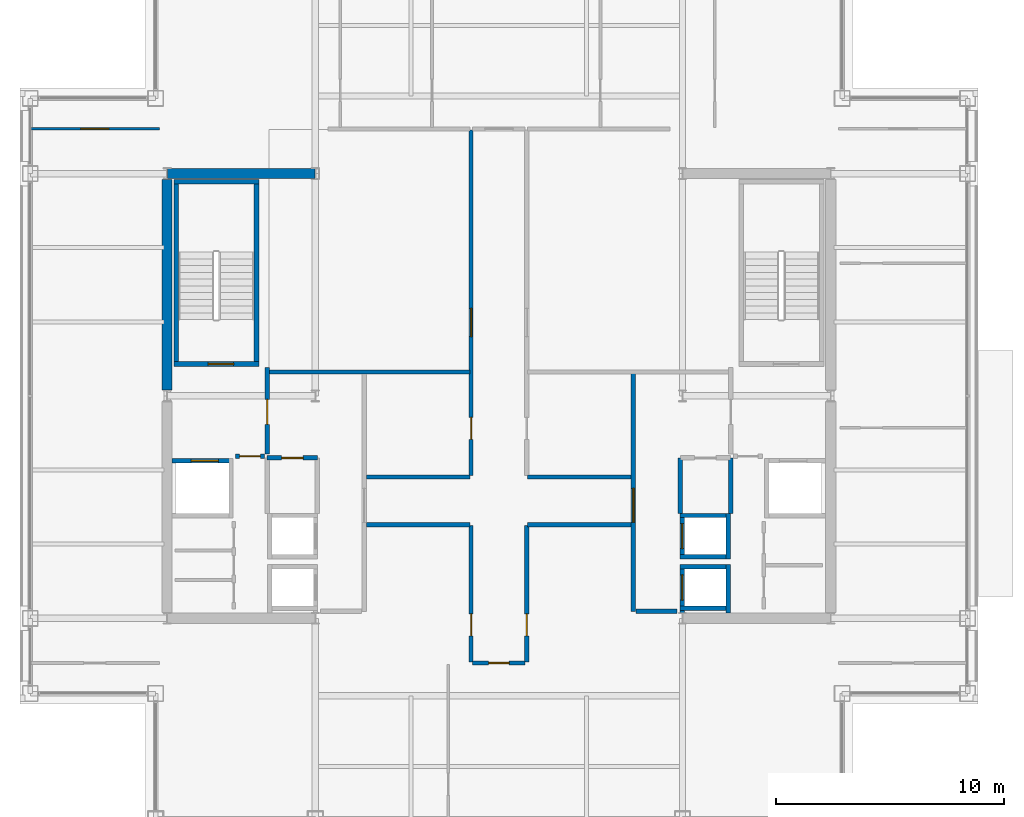
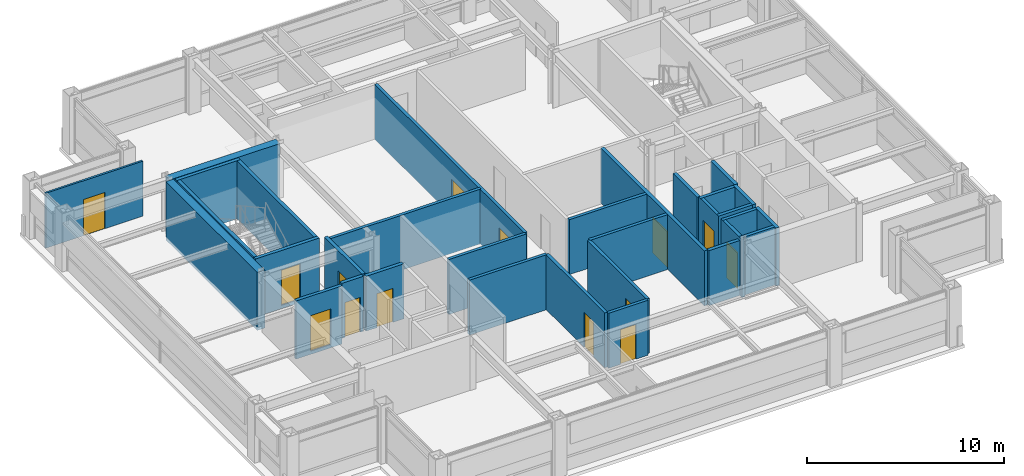
# One storey, part 23 of 26: 32 walls, 14 doors, 14 openings.
"""IFC4 building model written with IfcOpenShell, lengths in metres."""

import ifcopenshell
import ifcopenshell.guid

model = None  # the IFC model being written
_history = None  # IfcOwnerHistory: only IFC2X3 demands one
_inside = {}  # id of a spatial element -> (the spatial element, [elements in it])
_under = {}  # id of a project, library or spatial element -> (it, [spatial elements below it])
_declared = {}  # id of a project -> (the project, [libraries it declares])
_typed = {}  # id of a type object -> (the type object, [elements of that type])
_made_of = {}  # id of a material, layer set ... -> (it, [elements and type objects made of it])


def new_model(schema):
    """Start an empty IFC model of exactly this schema.

    Asked for "IFC4X3", IfcOpenShell would pick the latest addendum, in which some entities
    have other attributes; the version numbers below select the first issue.
    IFC2X3 requires an IfcOwnerHistory on every rooted entity: one is made here for all.
    """
    global model, _history
    if schema == "IFC4X3":
        model = ifcopenshell.file(schema_version=(4, 3, 0, 0))
    else:
        model = ifcopenshell.file(schema=schema)
    _inside.clear()
    _under.clear()
    _declared.clear()
    _typed.clear()
    _made_of.clear()
    _history = None
    if model.schema == "IFC2X3":
        org = make("IfcOrganization", Name="unknown")
        user = make(
            "IfcPersonAndOrganization",
            ThePerson=make("IfcPerson", FamilyName="unknown"),
            TheOrganization=org,
        )
        app = make(
            "IfcApplication",
            ApplicationDeveloper=org,
            Version="unknown",
            ApplicationFullName="unknown",
            ApplicationIdentifier="unknown",
        )
        _history = make(
            "IfcOwnerHistory",
            OwningUser=user,
            OwningApplication=app,
            ChangeAction="ADDED",
            CreationDate=0,
        )
    return model


def make(cls, **values):
    """One entity of the class cls with the attributes given. An attribute that is None is left unset."""
    return model.create_entity(
        cls, **{name: value for name, value in values.items() if value is not None}
    )


def rooted(cls, **values):
    """An entity with a GlobalId (a new one), such as an element, a storey or a relation."""
    return make(cls, GlobalId=ifcopenshell.guid.new(), OwnerHistory=_history, **values)


def si_unit(unit_type, name, prefix=None):
    """IfcSIUnit, for example si_unit("LENGTHUNIT", "METRE", prefix="MILLI")."""
    return make("IfcSIUnit", UnitType=unit_type, Prefix=prefix, Name=name)


def assignment(units):
    """IfcUnitAssignment: the units of a project."""
    return None if units is None else make("IfcUnitAssignment", Units=units)


def point(xyz):
    """IfcCartesianPoint."""
    return None if xyz is None else make("IfcCartesianPoint", Coordinates=xyz)


def direction(xyz):
    """IfcDirection."""
    return None if xyz is None else make("IfcDirection", DirectionRatios=xyz)


def frame(location, z_axis=None, x_axis=None):
    """IfcAxis2Placement3D, a coordinate frame: its origin and axes. An axis left out is left unset."""
    return make(
        "IfcAxis2Placement3D",
        Location=point(location),
        Axis=direction(z_axis),
        RefDirection=direction(x_axis),
    )


def frame_2d(location, x_axis=None):
    """IfcAxis2Placement2D, a coordinate frame in the plane: its origin and x axis."""
    return make(
        "IfcAxis2Placement2D", Location=point(location), RefDirection=direction(x_axis)
    )


def origin():
    """The frame at (0, 0, 0) with its axes left unset."""
    return frame((0.0, 0.0, 0.0))


def place(relative_to, where):
    """IfcLocalPlacement: puts the frame where relative to a parent placement (None: the world)."""
    return make(
        "IfcLocalPlacement", PlacementRelTo=relative_to, RelativePlacement=where
    )


def context(
    kind, dimensions, precision=None, world=None, true_north=None, identifier=None
):
    """IfcGeometricRepresentationContext, for example the 3D "Model" context."""
    return make(
        "IfcGeometricRepresentationContext",
        ContextIdentifier=identifier,
        ContextType=kind,
        CoordinateSpaceDimension=dimensions,
        Precision=precision,
        WorldCoordinateSystem=world,
        TrueNorth=true_north,
    )


def subcontext(parent, identifier, kind, view, scale=None):
    """IfcGeometricRepresentationSubContext, for example "Body" below "Model"."""
    return make(
        "IfcGeometricRepresentationSubContext",
        ContextIdentifier=identifier,
        ContextType=kind,
        ParentContext=parent,
        TargetScale=scale,
        TargetView=view,
    )


def project(units=None, contexts=None):
    """IfcProject with its units and contexts."""
    return rooted(
        "IfcProject",
        Name="project",
        RepresentationContexts=contexts,
        UnitsInContext=assignment(units),
    )


def spatial(cls, under=None, at=None, **own):
    """A site, building, storey or space (cls), placed at a placement, below another one or the project."""
    s = rooted(cls, ObjectPlacement=at, **own)
    if under is not None:
        _under.setdefault(under.id(), (under, []))[1].append(s)
    return s


def profile(cls, at=None, kind="AREA", **sizes):
    """A parametric profile (cls). Its sizes go by their IFC names, for example OverallWidth=200.0."""
    return make(cls, ProfileType=kind, Position=at, **sizes)


def rectangle(**sizes):
    """IfcRectangleProfileDef."""
    return profile("IfcRectangleProfileDef", **sizes)


def extrude(swept, where, along, depth):
    """IfcExtrudedAreaSolid: the profile swept, set in the frame where, extruded along a direction by depth."""
    return make(
        "IfcExtrudedAreaSolid",
        SweptArea=swept,
        Position=where,
        ExtrudedDirection=direction(along),
        Depth=depth,
    )


def shape(context_of_items, identifier, shape_type, items):
    """IfcShapeRepresentation: the items that make up one representation, for example the "Body"."""
    return make(
        "IfcShapeRepresentation",
        ContextOfItems=context_of_items,
        RepresentationIdentifier=identifier,
        RepresentationType=shape_type,
        Items=items,
    )


def material(Name=None, Category=None):
    """IfcMaterial."""
    return make("IfcMaterial", Name=Name, Category=Category)


def layer(
    of_material, thickness, ventilated=None, Name=None, Category=None, Priority=None
):
    """IfcMaterialLayer: one layer of a wall or slab, of a material (None: an air gap)."""
    return make(
        "IfcMaterialLayer",
        Material=of_material,
        LayerThickness=thickness,
        IsVentilated=ventilated,
        Name=Name,
        Category=Category,
        Priority=Priority,
    )


def layer_set(layers, Name=None):
    """IfcMaterialLayerSet."""
    return make("IfcMaterialLayerSet", MaterialLayers=layers, LayerSetName=Name)


def made_of(thing, what):
    """Note that an element or type object is made of a material, layer set ...; save() writes the relation."""
    if what is not None:
        _made_of.setdefault(what.id(), (what, []))[1].append(thing)
    return thing


def type_object(cls, material=None, **own):
    """A type object (cls), such as IfcWallType, which elements share."""
    return made_of(rooted(cls, **own), material)


def element(
    cls,
    number,
    at=None,
    inside=None,
    cuts=None,
    type_object=None,
    material=None,
    context=None,
    identifier="Body",
    shape_type=None,
    held_by="IfcProductDefinitionShape",
    body=None,
    shapes=None,
    **own,
):
    """One element of the class cls, such as IfcWall. Its Tag is "e" and its number.

    at: its placement. inside: the storey or other place that contains it. cuts: it is an
    opening in that element (IfcRelVoidsElement). A single representation is given by context,
    identifier, shape_type and body (its items); several are given by shapes. held_by: the class
    of the entity that holds the representations. save() writes the other relations.
    """
    e = rooted(cls, Tag="e%d" % number, ObjectPlacement=at, **own)
    if body is not None:
        shapes = [shape(context, identifier, shape_type, body)]
    if shapes is not None:
        e.Representation = make(held_by, Representations=shapes)
    if inside is not None:
        _inside.setdefault(inside.id(), (inside, []))[1].append(e)
    if cuts is not None:
        rooted(
            "IfcRelVoidsElement", RelatingBuildingElement=cuts, RelatedOpeningElement=e
        )
    if type_object is not None:
        _typed.setdefault(type_object.id(), (type_object, []))[1].append(e)
    return made_of(e, material)


def fill(opening, filler):
    """IfcRelFillsElement: the door or window that sits in an opening."""
    return rooted(
        "IfcRelFillsElement",
        RelatingOpeningElement=opening,
        RelatedBuildingElement=filler,
    )


def aggregate(whole, parts):
    """IfcRelAggregates: a whole, such as a stair, and the parts it consists of."""
    return rooted("IfcRelAggregates", RelatingObject=whole, RelatedObjects=parts)


def save(model, path):
    """Write the relations noted so far, then the file.

    IfcRelAggregates (storeys below a building ...), IfcRelContainedInSpatialStructure (elements
    in a storey), IfcRelDefinesByType, IfcRelAssociatesMaterial and IfcRelDeclares: one each for
    every whole, place, type object, material and project.
    """
    for whole, parts in _under.values():
        aggregate(whole, parts)
    for where, things in _inside.values():
        rooted(
            "IfcRelContainedInSpatialStructure",
            RelatedElements=things,
            RelatingStructure=where,
        )
    for kind, things in _typed.values():
        rooted("IfcRelDefinesByType", RelatedObjects=things, RelatingType=kind)
    for what, things in _made_of.values():
        rooted("IfcRelAssociatesMaterial", RelatedObjects=things, RelatingMaterial=what)
    for by, libraries in _declared.values():
        rooted("IfcRelDeclares", RelatingContext=by, RelatedDefinitions=libraries)
    model.write(path)


model = new_model("IFC4")

# Units and contexts
model_context = context("Model", 3, precision=1e-05, world=origin(), true_north=direction((0.0, 1.0)))
body_context = subcontext(model_context, "Body", "Model", "MODEL_VIEW")
ifc_project = project(units=[si_unit("LENGTHUNIT", "METRE"), si_unit("AREAUNIT", "SQUARE_METRE"), si_unit("VOLUMEUNIT", "CUBIC_METRE"), si_unit("PLANEANGLEUNIT", "RADIAN"), si_unit("MASSUNIT", "GRAM", prefix="KILO")], contexts=[model_context])

# Site, building, storey
site_placement = place(None, origin())
site = spatial("IfcSite", under=ifc_project, at=site_placement, CompositionType="ELEMENT")
building_placement = place(site_placement, origin())
building = spatial("IfcBuilding", under=site, at=building_placement, Name="Brelmoor Portico Tower", CompositionType="ELEMENT")
storey_placement = place(building_placement, frame((0.0, 0.0, 205.5)))
storey = spatial("IfcBuildingStorey", under=building, at=storey_placement, Name="L54", CompositionType="ELEMENT", Elevation=205.5)

# Walls
ifc_material_1 = material(Name="Concrete C50", Category="concrete")
ifc_layer_1 = layer(ifc_material_1, 0.449951171875)
ifc_layer_set_1 = layer_set([ifc_layer_1], Name="Concrete C50")
wall_type_1 = type_object("IfcWallType", Name="WL-CORE-450", PredefinedType="SHEAR", material=ifc_layer_set_1)
wall_1_placement = place(storey_placement, frame((-14.530029296875, 9.75, -0.199951171875), z_axis=(0.0, 0.0, 1.0), x_axis=(1.0, 0.0, 0.0)))
element("IfcWall", 1, at=wall_1_placement, inside=storey, type_object=wall_type_1, Name="L54 WC North Shear Wall", PredefinedType="SHEAR", context=body_context, shape_type="SweptSolid", body=[
    extrude(rectangle(XDim=6.4599609375, YDim=0.449951171875, at=frame_2d((3.22998046875, 0.0))), origin(), (0.0, 0.0, 1.0), 3.599853515625),
])
wall_2_placement = place(storey_placement, frame((-14.550048828125, 0.25, -0.199951171875), z_axis=(0.0, 0.0, 1.0), x_axis=(0.0, 1.0, 0.0)))
element("IfcWall", 2, at=wall_2_placement, inside=storey, type_object=wall_type_1, Name="L54 WC Outer North Shear Wall", PredefinedType="SHEAR", context=body_context, shape_type="SweptSolid", body=[
    extrude(rectangle(XDim=9.25, YDim=0.449951171875, at=frame_2d((4.625, 0.0))), origin(), (0.0, 0.0, 1.0), 3.599853515625),
])

# Wall, opening, door
ifc_material_2 = material(Name="Lightweight Gypsum Office Partition", Category="gypsum")
ifc_layer_2 = layer(ifc_material_2, 0.1201171875)
ifc_layer_set_2 = layer_set([ifc_layer_2], Name="Lightweight Gypsum Office Partition")
wall_type_2 = type_object("IfcWallType", Name="WL-PART-120", PredefinedType="PARTITIONING", material=ifc_layer_set_2)
wall_3_placement = place(storey_placement, frame((-20.56005859375, 11.7099609375, 0.0), z_axis=(0.0, 0.0, 1.0), x_axis=(1.0, 0.0, 0.0)))
wall_3 = element("IfcWall", 3, at=wall_3_placement, inside=storey, type_object=wall_type_2, Name="L54 North Wing Suite Wall WL", PredefinedType="PARTITIONING", context=body_context, shape_type="SweptSolid", body=[
    extrude(rectangle(XDim=5.68017578125, YDim=0.1201171875, at=frame_2d((2.840087890625, 0.0))), origin(), (0.0, 0.0, 1.0), 3.39990234375),
])
opening_1_placement = place(wall_3_placement, frame((2.219970703125, 0.0, 0.0)))
opening_1 = element("IfcOpeningElement", 4, at=opening_1_placement, cuts=wall_3, Name="Opening D-SU1", PredefinedType="OPENING", context=body_context, shape_type="SweptSolid", body=[
    extrude(rectangle(XDim=1.239990234375, YDim=2.239990234375, at=frame_2d((0.6201171875, 1.1201171875))), frame((0.0, 0.070068359375, 0.0), z_axis=(0.0, -1.0, 0.0), x_axis=(1.0, 0.0, 0.0)), (0.0, 0.0, 1.0), 0.14013671875),
])
ifc_material_3 = material(Name="Glazed Timber Executive Suite Door", Category="wood")
door_type_1 = type_object("IfcDoorType", Name="DR-SUITE-1200", OperationType="NOTDEFINED", PredefinedType="DOOR", material=ifc_material_3)
door_1_placement = place(opening_1_placement, origin())
door_1 = element("IfcDoor", 5, at=door_1_placement, inside=storey, type_object=door_type_1, Name="D-2285 L54 WL Wing Suite Connecting Door", OperationType="SINGLE_SWING_RIGHT", OverallHeight=2.239990234375, OverallWidth=1.239990234375, PredefinedType="DOOR", context=body_context, shape_type="SweptSolid", body=[
    extrude(rectangle(XDim=1.239990234375, YDim=2.239990234375, at=frame_2d((0.6201171875, 1.1201171875))), frame((0.0, 0.02490234375, 0.0), z_axis=(0.0, -1.0, 0.0), x_axis=(1.0, 0.0, 0.0)), (0.0, 0.0, 1.0), 0.050048828125),
])
fill(opening_1, door_1)

# Wall
ifc_material_4 = material(Name="Acoustic Corridor Fire Partition", Category="gypsum")
ifc_layer_3 = layer(ifc_material_4, 0.179931640625)
ifc_layer_set_3 = layer_set([ifc_layer_3], Name="Acoustic Corridor Fire Partition")
wall_type_3 = type_object("IfcWallType", Name="WL-PART-180", PredefinedType="PARTITIONING", material=ifc_layer_set_3)
wall_4_placement = place(storey_placement, frame((-10.050048828125, 1.050048828125, 0.0), z_axis=(0.0, 0.0, 1.0), x_axis=(1.0, 0.0, 0.0)))
element("IfcWall", 6, at=wall_4_placement, inside=storey, type_object=wall_type_3, Name="L54 West Reclaimed Suite South Wall", PredefinedType="PARTITIONING", context=body_context, shape_type="SweptSolid", body=[
    extrude(rectangle(XDim=8.7900390625, YDim=0.179931640625, at=frame_2d((4.39501953125, 0.0))), origin(), (0.0, 0.0, 1.0), 3.39990234375),
])

# Wall, openings, doors
wall_5_placement = place(storey_placement, frame((-1.219970703125, -3.5, 0.0), z_axis=(0.0, 0.0, 1.0), x_axis=(0.0, 1.0, 0.0)))
wall_5 = element("IfcWall", 7, at=wall_5_placement, inside=storey, type_object=wall_type_3, Name="L54 Central Cross West Wall", PredefinedType="PARTITIONING", context=body_context, shape_type="SweptSolid", body=[
    extrude(rectangle(XDim=15.169921875, YDim=0.179931640625, at=frame_2d((7.5849609375, 0.0))), origin(), (0.0, 0.0, 1.0), 3.39990234375),
])
opening_2_placement = place(wall_5_placement, frame((6.10009765625, 0.0, 0.0)))
opening_2 = element("IfcOpeningElement", 8, at=opening_2_placement, cuts=wall_5, Name="Opening D-SU1", PredefinedType="OPENING", context=body_context, shape_type="SweptSolid", body=[
    extrude(rectangle(XDim=1.239990234375, YDim=2.239990234375, at=frame_2d((0.6201171875, 1.1201171875))), frame((0.0, 0.099853515625, 0.0), z_axis=(0.0, -1.0, 0.0), x_axis=(1.0, 0.0, 0.0)), (0.0, 0.0, 1.0), 0.199951171875),
])
opening_3_placement = place(wall_5_placement, frame((1.60009765625, 0.0, 0.0)))
opening_3 = element("IfcOpeningElement", 9, at=opening_3_placement, cuts=wall_5, Name="Opening D-IN2", PredefinedType="OPENING", context=body_context, shape_type="SweptSolid", body=[
    extrude(rectangle(XDim=0.9599609375, YDim=2.179931640625, at=frame_2d((0.47998046875, 1.08984375))), frame((0.0, 0.099853515625, 0.0), z_axis=(0.0, -1.0, 0.0), x_axis=(1.0, 0.0, 0.0)), (0.0, 0.0, 1.0), 0.199951171875),
])
ifc_material_5 = material(Name="Lacquered Timber Suite Door", Category="wood")
door_type_2 = type_object("IfcDoorType", Name="DR-INT-950", OperationType="NOTDEFINED", PredefinedType="DOOR", material=ifc_material_5)
door_2_placement = place(opening_3_placement, origin())
door_2 = element("IfcDoor", 10, at=door_2_placement, inside=storey, type_object=door_type_2, Name="D-2264 L54 Staff Pantry Door", OperationType="SINGLE_SWING_RIGHT", OverallHeight=2.179931640625, OverallWidth=0.9599609375, PredefinedType="DOOR", context=body_context, shape_type="SweptSolid", body=[
    extrude(rectangle(XDim=0.9599609375, YDim=2.179931640625, at=frame_2d((0.47998046875, 1.08984375))), frame((0.0, 0.02490234375, 0.0), z_axis=(0.0, -1.0, 0.0), x_axis=(1.0, 0.0, 0.0)), (0.0, 0.0, 1.0), 0.050048828125),
])
fill(opening_3, door_2)
door_3_placement = place(opening_2_placement, origin())
door_3 = element("IfcDoor", 11, at=door_3_placement, inside=storey, type_object=door_type_1, Name="D-2265 L54 West Reclaimed Studio Door", OperationType="SINGLE_SWING_LEFT", OverallHeight=2.239990234375, OverallWidth=1.239990234375, PredefinedType="DOOR", context=body_context, shape_type="SweptSolid", body=[
    extrude(rectangle(XDim=1.239990234375, YDim=2.239990234375, at=frame_2d((0.6201171875, 1.1201171875))), frame((0.0, 0.02490234375, 0.0), z_axis=(0.0, -1.0, 0.0), x_axis=(1.0, 0.0, 0.0)), (0.0, 0.0, 1.0), 0.050048828125),
])
fill(opening_2, door_3)

# Walls
for number, where, z_axis, x_axis, name in (
    (12, (-5.800048828125, -3.550048828125, 0.0), (0.0, 0.0, 1.0), (1.0, 0.0, 0.0), "L54 West Pantry South Wall"),
    (13, (1.260009765625, -3.550048828125, 0.0), (0.0, 0.0, 1.0), (1.0, 0.0, 0.0), "L54 East Office South Wall"),
):
    element("IfcWall", number, at=place(storey_placement, frame(where, z_axis=z_axis, x_axis=x_axis)), inside=storey, type_object=wall_type_3, Name=name, PredefinedType="PARTITIONING", context=body_context, shape_type="SweptSolid", body=[
        extrude(rectangle(XDim=4.5400390625, YDim=0.179931640625, at=frame_2d((2.27001953125, 0.0))), origin(), (0.0, 0.0, 1.0), 3.39990234375),
    ])

# Wall, opening, door
wall_6_placement = place(storey_placement, frame((-1.219970703125, -11.669921875, 0.0), z_axis=(0.0, 0.0, 1.0), x_axis=(0.0, 1.0, 0.0)))
wall_6 = element("IfcWall", 14, at=wall_6_placement, inside=storey, type_object=wall_type_3, Name="L54 South Cross West Wall", PredefinedType="PARTITIONING", context=body_context, shape_type="SweptSolid", body=[
    extrude(rectangle(XDim=5.989990234375, YDim=0.179931640625, at=frame_2d((2.9951171875, 0.0))), origin(), (0.0, 0.0, 1.0), 3.39990234375),
])
opening_4_placement = place(wall_6_placement, frame((1.14990234375, 0.0, 0.0)))
opening_4 = element("IfcOpeningElement", 15, at=opening_4_placement, cuts=wall_6, Name="Opening D-IN2", PredefinedType="OPENING", context=body_context, shape_type="SweptSolid", body=[
    extrude(rectangle(XDim=0.9599609375, YDim=2.179931640625, at=frame_2d((0.47998046875, 1.08984375))), frame((0.0, 0.099853515625, 0.0), z_axis=(0.0, -1.0, 0.0), x_axis=(1.0, 0.0, 0.0)), (0.0, 0.0, 1.0), 0.199951171875),
])
door_4_placement = place(opening_4_placement, origin())
door_4 = element("IfcDoor", 16, at=door_4_placement, inside=storey, type_object=door_type_2, Name="D-2263 L54 South-West Archive Room Door", OperationType="SINGLE_SWING_LEFT", OverallHeight=2.179931640625, OverallWidth=0.9599609375, PredefinedType="DOOR", context=body_context, shape_type="SweptSolid", body=[
    extrude(rectangle(XDim=0.9599609375, YDim=2.179931640625, at=frame_2d((0.47998046875, 1.08984375))), frame((0.0, 0.02490234375, 0.0), z_axis=(0.0, -1.0, 0.0), x_axis=(1.0, 0.0, 0.0)), (0.0, 0.0, 1.0), 0.050048828125),
])
fill(opening_4, door_4)

wall_7_placement = place(storey_placement, frame((1.219970703125, -11.669921875, 0.0), z_axis=(0.0, 0.0, 1.0), x_axis=(0.0, 1.0, 0.0)))
wall_7 = element("IfcWall", 17, at=wall_7_placement, inside=storey, type_object=wall_type_3, Name="L54 South Cross East Wall", PredefinedType="PARTITIONING", context=body_context, shape_type="SweptSolid", body=[
    extrude(rectangle(XDim=5.989990234375, YDim=0.179931640625, at=frame_2d((2.9951171875, 0.0))), origin(), (0.0, 0.0, 1.0), 3.39990234375),
])
opening_5_placement = place(wall_7_placement, frame((1.14990234375, 0.0, 0.0)))
opening_5 = element("IfcOpeningElement", 18, at=opening_5_placement, cuts=wall_7, Name="Opening D-IN2", PredefinedType="OPENING", context=body_context, shape_type="SweptSolid", body=[
    extrude(rectangle(XDim=0.9599609375, YDim=2.179931640625, at=frame_2d((0.47998046875, 1.08984375))), frame((0.0, 0.099853515625, 0.0), z_axis=(0.0, -1.0, 0.0), x_axis=(1.0, 0.0, 0.0)), (0.0, 0.0, 1.0), 0.199951171875),
])
door_5_placement = place(opening_5_placement, origin())
door_5 = element("IfcDoor", 19, at=door_5_placement, inside=storey, type_object=door_type_2, Name="D-2262 L54 South-East Partner Office Door", OperationType="SINGLE_SWING_RIGHT", OverallHeight=2.179931640625, OverallWidth=0.9599609375, PredefinedType="DOOR", context=body_context, shape_type="SweptSolid", body=[
    extrude(rectangle(XDim=0.9599609375, YDim=2.179931640625, at=frame_2d((0.47998046875, 1.08984375))), frame((0.0, 0.02490234375, 0.0), z_axis=(0.0, -1.0, 0.0), x_axis=(1.0, 0.0, 0.0)), (0.0, 0.0, 1.0), 0.050048828125),
])
fill(opening_5, door_5)

# Walls
for number, where, z_axis, x_axis, name in (
    (20, (-5.800048828125, -5.64990234375, 0.0), (0.0, 0.0, 1.0), (1.0, 0.0, 0.0), "L54 South-West Chamber Top Wall"),
    (21, (1.260009765625, -5.64990234375, 0.0), (0.0, 0.0, 1.0), (1.0, 0.0, 0.0), "L54 South-East Chamber Top Wall"),
):
    element("IfcWall", number, at=place(storey_placement, frame(where, z_axis=z_axis, x_axis=x_axis)), inside=storey, type_object=wall_type_3, Name=name, PredefinedType="PARTITIONING", context=body_context, shape_type="SweptSolid", body=[
        extrude(rectangle(XDim=4.5400390625, YDim=0.179931640625, at=frame_2d((2.27001953125, 0.0))), origin(), (0.0, 0.0, 1.0), 3.39990234375),
    ])

# Wall, opening, door
wall_8_placement = place(storey_placement, frame((-1.14990234375, -11.7099609375, 0.0), z_axis=(0.0, 0.0, 1.0), x_axis=(1.0, 0.0, 0.0)))
wall_8 = element("IfcWall", 22, at=wall_8_placement, inside=storey, type_object=wall_type_3, Name="L54 South Corridor Partition", PredefinedType="PARTITIONING", context=body_context, shape_type="SweptSolid", body=[
    extrude(rectangle(XDim=2.2998046875, YDim=0.179931640625, at=frame_2d((1.14990234375, 0.0))), origin(), (0.0, 0.0, 1.0), 3.39990234375),
])
opening_6_placement = place(wall_8_placement, frame((0.699951171875, 0.0, 0.0)))
opening_6 = element("IfcOpeningElement", 23, at=opening_6_placement, cuts=wall_8, Name="Opening D-IN1", PredefinedType="OPENING", context=body_context, shape_type="SweptSolid", body=[
    extrude(rectangle(XDim=0.89990234375, YDim=2.14990234375, at=frame_2d((0.449951171875, 1.074951171875))), frame((0.0, 0.099853515625, 0.0), z_axis=(0.0, -1.0, 0.0), x_axis=(1.0, 0.0, 0.0)), (0.0, 0.0, 1.0), 0.199951171875),
])
door_type_3 = type_object("IfcDoorType", Name="DR-INT-900", OperationType="NOTDEFINED", PredefinedType="DOOR", material=ifc_material_5)
door_6_placement = place(opening_6_placement, origin())
door_6 = element("IfcDoor", 24, at=door_6_placement, inside=storey, type_object=door_type_3, Name="D-2286 L54 South Cellular Office 2 Door", OperationType="SINGLE_SWING_LEFT", OverallHeight=2.14990234375, OverallWidth=0.89990234375, PredefinedType="DOOR", context=body_context, shape_type="SweptSolid", body=[
    extrude(rectangle(XDim=0.89990234375, YDim=2.14990234375, at=frame_2d((0.449951171875, 1.074951171875))), frame((0.0, 0.02490234375, 0.0), z_axis=(0.0, -1.0, 0.0), x_axis=(1.0, 0.0, 0.0)), (0.0, 0.0, 1.0), 0.050048828125),
])
fill(opening_6, door_6)

ifc_material_6 = material(Name="Double-Stud Gypsum Fire Partition", Category="gypsum")
ifc_layer_4 = layer(ifc_material_6, 0.199951171875)
ifc_layer_set_4 = layer_set([ifc_layer_4], Name="Double-Stud Gypsum Fire Partition")
wall_type_4 = type_object("IfcWallType", Name="WL-PART-200", PredefinedType="PARTITIONING", material=ifc_layer_set_4)
wall_9_placement = place(storey_placement, frame((-10.159912109375, -2.550048828125, 0.0), z_axis=(0.0, 0.0, 1.0), x_axis=(0.0, 1.0, 0.0)))
wall_9 = element("IfcWall", 25, at=wall_9_placement, inside=storey, type_object=wall_type_4, Name="L54 W Firefighting Lobby Wall", PredefinedType="PARTITIONING", context=body_context, shape_type="SweptSolid", body=[
    extrude(rectangle(XDim=3.800048828125, YDim=0.199951171875, at=frame_2d((1.89990234375, 0.0))), origin(), (0.0, 0.0, 1.0), 3.39990234375),
])
opening_7_placement = place(wall_9_placement, frame((1.300048828125, 0.0, 0.0)))
opening_7 = element("IfcOpeningElement", 26, at=opening_7_placement, cuts=wall_9, Name="Opening D-FR1", PredefinedType="OPENING", context=body_context, shape_type="SweptSolid", body=[
    extrude(rectangle(XDim=1.10009765625, YDim=2.14990234375, at=frame_2d((0.550048828125, 1.074951171875))), frame((0.0, 0.10986328125, 0.0), z_axis=(0.0, -1.0, 0.0), x_axis=(1.0, 0.0, 0.0)), (0.0, 0.0, 1.0), 0.219970703125),
])
ifc_material_7 = material(Name="Painted Galvanised Steel Fire Door", Category="steel")
door_type_4 = type_object("IfcDoorType", Name="DR-FIRE-1100", OperationType="NOTDEFINED", PredefinedType="DOOR", material=ifc_material_7)
door_7_placement = place(opening_7_placement, origin())
door_7 = element("IfcDoor", 27, at=door_7_placement, inside=storey, type_object=door_type_4, Name="D-2276 L54 W Firefighting Lobby Door", OperationType="SINGLE_SWING_RIGHT", OverallHeight=2.14990234375, OverallWidth=1.10009765625, PredefinedType="DOOR", context=body_context, shape_type="SweptSolid", body=[
    extrude(rectangle(XDim=1.10009765625, YDim=2.14990234375, at=frame_2d((0.550048828125, 1.074951171875))), frame((0.0, 0.02490234375, 0.0), z_axis=(0.0, -1.0, 0.0), x_axis=(1.0, 0.0, 0.0)), (0.0, 0.0, 1.0), 0.050048828125),
])
fill(opening_7, door_7)

wall_10_placement = place(storey_placement, frame((-10.280029296875, -2.64990234375, 0.0), z_axis=(0.0, 0.0, 1.0), x_axis=(-1.0, 0.0, 0.0)))
wall_10 = element("IfcWall", 28, at=wall_10_placement, inside=storey, type_object=wall_type_4, Name="L54 W Firefighting Lobby South Wall", PredefinedType="PARTITIONING", context=body_context, shape_type="SweptSolid", body=[
    extrude(rectangle(XDim=1.27001953125, YDim=0.199951171875, at=frame_2d((0.635009765625, 0.0))), origin(), (0.0, 0.0, 1.0), 3.39990234375),
])
opening_8_placement = place(wall_10_placement, frame((0.18505859375, 0.0, 0.0)))
opening_8 = element("IfcOpeningElement", 29, at=opening_8_placement, cuts=wall_10, Name="Opening D-IN1", PredefinedType="OPENING", context=body_context, shape_type="SweptSolid", body=[
    extrude(rectangle(XDim=0.89990234375, YDim=2.14990234375, at=frame_2d((0.449951171875, 1.074951171875))), frame((0.0, 0.10986328125, 0.0), z_axis=(0.0, -1.0, 0.0), x_axis=(1.0, 0.0, 0.0)), (0.0, 0.0, 1.0), 0.219970703125),
])
door_8_placement = place(opening_8_placement, origin())
door_8 = element("IfcDoor", 30, at=door_8_placement, inside=storey, type_object=door_type_3, Name="D-2269 L54 W Core Service Vestibule Door", OperationType="SINGLE_SWING_LEFT", OverallHeight=2.14990234375, OverallWidth=0.89990234375, PredefinedType="DOOR", context=body_context, shape_type="SweptSolid", body=[
    extrude(rectangle(XDim=0.89990234375, YDim=2.14990234375, at=frame_2d((0.449951171875, 1.074951171875))), frame((0.0, 0.02490234375, 0.0), z_axis=(0.0, -1.0, 0.0), x_axis=(1.0, 0.0, 0.0)), (0.0, 0.0, 1.0), 0.050048828125),
])
fill(opening_8, door_8)

wall_11_placement = place(storey_placement, frame((-7.9599609375, -2.719970703125, 0.0), z_axis=(0.0, 0.0, 1.0), x_axis=(-1.0, 0.0, 0.0)))
wall_11 = element("IfcWall", 31, at=wall_11_placement, inside=storey, type_object=wall_type_4, Name="L54 W Electrical Switchgear Closet Wall", PredefinedType="PARTITIONING", context=body_context, shape_type="SweptSolid", body=[
    extrude(rectangle(XDim=2.199951171875, YDim=0.199951171875, at=frame_2d((1.10009765625, 0.0))), origin(), (0.0, 0.0, 1.0), 3.39990234375),
])
opening_9_placement = place(wall_11_placement, frame((0.6201171875, 0.0, 0.0)))
opening_9 = element("IfcOpeningElement", 32, at=opening_9_placement, cuts=wall_11, Name="Opening D-FR4", PredefinedType="OPENING", context=body_context, shape_type="SweptSolid", body=[
    extrude(rectangle(XDim=0.949951171875, YDim=2.10009765625, at=frame_2d((0.47509765625, 1.050048828125))), frame((0.0, 0.10986328125, 0.0), z_axis=(0.0, -1.0, 0.0), x_axis=(1.0, 0.0, 0.0)), (0.0, 0.0, 1.0), 0.219970703125),
])
ifc_material_8 = material(Name="Painted Galvanised Steel Riser Door", Category="steel")
door_type_5 = type_object("IfcDoorType", Name="DR-FIRE-950", OperationType="NOTDEFINED", PredefinedType="DOOR", material=ifc_material_8)
door_9_placement = place(opening_9_placement, origin())
door_9 = element("IfcDoor", 33, at=door_9_placement, inside=storey, type_object=door_type_5, Name="D-2274 L54 W Electrical Switchgear Closet Door", OperationType="SINGLE_SWING_RIGHT", OverallHeight=2.10009765625, OverallWidth=0.949951171875, PredefinedType="DOOR", context=body_context, shape_type="SweptSolid", body=[
    extrude(rectangle(XDim=0.949951171875, YDim=2.10009765625, at=frame_2d((0.47509765625, 1.050048828125))), frame((0.0, 0.02490234375, 0.0), z_axis=(0.0, -1.0, 0.0), x_axis=(1.0, 0.0, 0.0)), (0.0, 0.0, 1.0), 0.050048828125),
])
fill(opening_9, door_9)

wall_12_placement = place(storey_placement, frame((5.89990234375, -9.449951171875, 0.0), z_axis=(0.0, 0.0, 1.0), x_axis=(0.0, 1.0, 0.0)))
wall_12 = element("IfcWall", 34, at=wall_12_placement, inside=storey, type_object=wall_type_4, Name="L54 E Core Lobby Compartment Wall", PredefinedType="PARTITIONING", context=body_context, shape_type="SweptSolid", body=[
    extrude(rectangle(XDim=10.5, YDim=0.199951171875, at=frame_2d((5.25, 0.0))), origin(), (0.0, 0.0, 1.0), 3.39990234375),
])
opening_10_placement = place(wall_12_placement, frame((3.89990234375, 0.0, 0.0)))
opening_10 = element("IfcOpeningElement", 35, at=opening_10_placement, cuts=wall_12, Name="Opening D-LB1", PredefinedType="OPENING", context=body_context, shape_type="SweptSolid", body=[
    extrude(rectangle(XDim=1.5, YDim=2.199951171875, at=frame_2d((0.75, 1.10009765625))), frame((0.0, 0.10986328125, 0.0), z_axis=(0.0, -1.0, 0.0), x_axis=(1.0, 0.0, 0.0)), (0.0, 0.0, 1.0), 0.219970703125),
])
ifc_material_9 = material(Name="Double-Leaf Glazed Steel Fire Door", Category="steel")
door_type_6 = type_object("IfcDoorType", Name="DR-LOBBY-1500", OperationType="NOTDEFINED", PredefinedType="DOOR", material=ifc_material_9)
door_10_placement = place(opening_10_placement, origin())
door_10 = element("IfcDoor", 36, at=door_10_placement, inside=storey, type_object=door_type_6, Name="D-2277 L54 E Lift Lobby Main Door", OperationType="DOUBLE_DOOR_SINGLE_SWING", OverallHeight=2.199951171875, OverallWidth=1.5, PredefinedType="DOOR", context=body_context, shape_type="SweptSolid", body=[
    extrude(rectangle(XDim=1.5, YDim=2.199951171875, at=frame_2d((0.75, 1.10009765625))), frame((0.0, 0.02490234375, 0.0), z_axis=(0.0, -1.0, 0.0), x_axis=(1.0, 0.0, 0.0)), (0.0, 0.0, 1.0), 0.050048828125),
])
fill(opening_10, door_10)

# Walls
wall_13_placement = place(storey_placement, frame((6.02001953125, -9.449951171875, 0.0), z_axis=(0.0, 0.0, 1.0), x_axis=(1.0, 0.0, 0.0)))
element("IfcWall", 37, at=wall_13_placement, inside=storey, type_object=wall_type_4, Name="L54 E Lift Lobby South End Wall", PredefinedType="PARTITIONING", context=body_context, shape_type="SweptSolid", body=[
    extrude(rectangle(XDim=1.800048828125, YDim=0.199951171875, at=frame_2d((0.89990234375, 0.0))), origin(), (0.0, 0.0, 1.0), 3.39990234375),
])
for number, where, z_axis, x_axis, name in (
    (38, (7.9599609375, -5.159912109375, 0.0), (0.0, 0.0, 1.0), (0.0, 1.0, 0.0), "L54 E Electrical Switchgear Closet Inner Wall"),
    (39, (10.159912109375, -5.159912109375, 0.0), (0.0, 0.0, 1.0), (0.0, 1.0, 0.0), "L54 E Electrical Switchgear Closet Outer Wall"),
):
    element("IfcWall", number, at=place(storey_placement, frame(where, z_axis=z_axis, x_axis=x_axis)), inside=storey, type_object=wall_type_4, Name=name, PredefinedType="PARTITIONING", context=body_context, shape_type="SweptSolid", body=[
        extrude(rectangle(XDim=2.43994140625, YDim=0.199951171875, at=frame_2d((1.219970703125, 0.0))), origin(), (0.0, 0.0, 1.0), 3.39990234375),
    ])

# Wall, opening, door
ifc_material_10 = material(Name="Precast Concrete C40", Category="concrete")
ifc_layer_5 = layer(ifc_material_10, 0.18994140625)
ifc_layer_set_5 = layer_set([ifc_layer_5], Name="Precast Concrete C40")
wall_type_5 = type_object("IfcWallType", Name="WL-SHAFT-180", PredefinedType="SOLIDWALL", material=ifc_layer_set_5)
wall_14_placement = place(storey_placement, frame((8.044921875, -9.52001953125, -0.199951171875), z_axis=(0.0, 0.0, 1.0), x_axis=(0.0, 1.0, 0.0)))
wall_14 = element("IfcWall", 40, at=wall_14_placement, inside=storey, type_object=wall_type_5, Name="L54 Lift PH3 Hoistway Front Wall", PredefinedType="SOLIDWALL", context=body_context, shape_type="SweptSolid", body=[
    extrude(rectangle(XDim=2.1201171875, YDim=0.18994140625, at=frame_2d((1.06005859375, 0.0))), origin(), (0.0, 0.0, 1.0), 3.599853515625),
])
opening_11_placement = place(wall_14_placement, frame((0.570068359375, 0.0, 0.199951171875)))
opening_11 = element("IfcOpeningElement", 41, at=opening_11_placement, cuts=wall_14, Name="Opening LD-01", PredefinedType="OPENING", context=body_context, shape_type="SweptSolid", body=[
    extrude(rectangle(XDim=1.10009765625, YDim=2.199951171875, at=frame_2d((0.550048828125, 1.10009765625))), frame((0.0, 0.10498046875, 0.0), z_axis=(0.0, -1.0, 0.0), x_axis=(1.0, 0.0, 0.0)), (0.0, 0.0, 1.0), 0.2099609375),
])
ifc_material_11 = material(Name="Brushed Stainless Steel Sliding Lift Door", Category="steel")
door_type_7 = type_object("IfcDoorType", Name="DR-LIFT-1100", OperationType="NOTDEFINED", PredefinedType="DOOR", material=ifc_material_11)
door_11_placement = place(opening_11_placement, origin())
door_11 = element("IfcDoor", 42, at=door_11_placement, inside=storey, type_object=door_type_7, Name="D-2298 L54 Lift PH3 Sliding Landing Door", OperationType="SLIDING_TO_LEFT", OverallHeight=2.199951171875, OverallWidth=1.10009765625, PredefinedType="DOOR", context=body_context, shape_type="SweptSolid", body=[
    extrude(rectangle(XDim=1.10009765625, YDim=2.199951171875, at=frame_2d((0.550048828125, 1.10009765625))), frame((0.0, 0.02490234375, 0.0), z_axis=(0.0, -1.0, 0.0), x_axis=(1.0, 0.0, 0.0)), (0.0, 0.0, 1.0), 0.050048828125),
])
fill(opening_11, door_11)

# Walls
wall_15_placement = place(storey_placement, frame((10.054931640625, -9.52001953125, -0.199951171875), z_axis=(0.0, 0.0, 1.0), x_axis=(0.0, 1.0, 0.0)))
element("IfcWall", 43, at=wall_15_placement, inside=storey, type_object=wall_type_5, Name="L54 Lift PH3 Hoistway Back Wall", PredefinedType="SOLIDWALL", context=body_context, shape_type="SweptSolid", body=[
    extrude(rectangle(XDim=2.1201171875, YDim=0.18994140625, at=frame_2d((1.06005859375, 0.0))), origin(), (0.0, 0.0, 1.0), 3.599853515625),
])
for number, where, z_axis, x_axis, name in (
    (44, (7.949951171875, -7.4951171875, -0.199951171875), (0.0, 0.0, 1.0), (1.0, 0.0, 0.0), "L54 Lift PH3 Hoistway North Wall"),
    (45, (7.949951171875, -9.304931640625, -0.199951171875), (0.0, 0.0, 1.0), (1.0, 0.0, 0.0), "L54 Lift PH3 Hoistway South Wall"),
):
    element("IfcWall", number, at=place(storey_placement, frame(where, z_axis=z_axis, x_axis=x_axis)), inside=storey, type_object=wall_type_5, Name=name, PredefinedType="SOLIDWALL", context=body_context, shape_type="SweptSolid", body=[
        extrude(rectangle(XDim=2.199951171875, YDim=0.18994140625, at=frame_2d((1.10009765625, 0.0))), origin(), (0.0, 0.0, 1.0), 3.599853515625),
    ])

# Wall, opening, door
wall_16_placement = place(storey_placement, frame((8.044921875, -7.14990234375, -0.199951171875), z_axis=(0.0, 0.0, 1.0), x_axis=(0.0, 1.0, 0.0)))
wall_16 = element("IfcWall", 46, at=wall_16_placement, inside=storey, type_object=wall_type_5, Name="L54 Lift PH4 Hoistway Front Wall", PredefinedType="SOLIDWALL", context=body_context, shape_type="SweptSolid", body=[
    extrude(rectangle(XDim=2.0, YDim=0.18994140625, at=frame_2d((1.0, 0.0))), origin(), (0.0, 0.0, 1.0), 3.599853515625),
])
opening_12_placement = place(wall_16_placement, frame((0.449951171875, 0.0, 0.199951171875)))
opening_12 = element("IfcOpeningElement", 47, at=opening_12_placement, cuts=wall_16, Name="Opening LD-01", PredefinedType="OPENING", context=body_context, shape_type="SweptSolid", body=[
    extrude(rectangle(XDim=1.10009765625, YDim=2.199951171875, at=frame_2d((0.550048828125, 1.10009765625))), frame((0.0, 0.10498046875, 0.0), z_axis=(0.0, -1.0, 0.0), x_axis=(1.0, 0.0, 0.0)), (0.0, 0.0, 1.0), 0.2099609375),
])
door_12_placement = place(opening_12_placement, origin())
door_12 = element("IfcDoor", 48, at=door_12_placement, inside=storey, type_object=door_type_7, Name="D-2299 L54 Lift PH4 Sliding Landing Door", OperationType="SLIDING_TO_LEFT", OverallHeight=2.199951171875, OverallWidth=1.10009765625, PredefinedType="DOOR", context=body_context, shape_type="SweptSolid", body=[
    extrude(rectangle(XDim=1.10009765625, YDim=2.199951171875, at=frame_2d((0.550048828125, 1.10009765625))), frame((0.0, 0.02490234375, 0.0), z_axis=(0.0, -1.0, 0.0), x_axis=(1.0, 0.0, 0.0)), (0.0, 0.0, 1.0), 0.050048828125),
])
fill(opening_12, door_12)

# Walls
wall_17_placement = place(storey_placement, frame((10.054931640625, -7.14990234375, -0.199951171875), z_axis=(0.0, 0.0, 1.0), x_axis=(0.0, 1.0, 0.0)))
element("IfcWall", 49, at=wall_17_placement, inside=storey, type_object=wall_type_5, Name="L54 Lift PH4 Hoistway Back Wall", PredefinedType="SOLIDWALL", context=body_context, shape_type="SweptSolid", body=[
    extrude(rectangle(XDim=2.0, YDim=0.18994140625, at=frame_2d((1.0, 0.0))), origin(), (0.0, 0.0, 1.0), 3.599853515625),
])
for number, where, z_axis, x_axis, name in (
    (50, (7.949951171875, -5.2451171875, -0.199951171875), (0.0, 0.0, 1.0), (1.0, 0.0, 0.0), "L54 Lift PH4 Hoistway North Wall"),
    (51, (7.949951171875, -7.054931640625, -0.199951171875), (0.0, 0.0, 1.0), (1.0, 0.0, 0.0), "L54 Lift PH4 Hoistway South Wall"),
):
    element("IfcWall", number, at=place(storey_placement, frame(where, z_axis=z_axis, x_axis=x_axis)), inside=storey, type_object=wall_type_5, Name=name, PredefinedType="SOLIDWALL", context=body_context, shape_type="SweptSolid", body=[
        extrude(rectangle(XDim=2.199951171875, YDim=0.18994140625, at=frame_2d((1.10009765625, 0.0))), origin(), (0.0, 0.0, 1.0), 3.599853515625),
    ])

# Wall, opening, door
wall_18_placement = place(storey_placement, frame((-14.330078125, -2.844970703125, -0.199951171875), z_axis=(0.0, 0.0, 1.0), x_axis=(1.0, 0.0, 0.0)))
wall_18 = element("IfcWall", 52, at=wall_18_placement, inside=storey, type_object=wall_type_5, Name="L54 Lift FF1 Hoistway Front Wall", PredefinedType="SOLIDWALL", context=body_context, shape_type="SweptSolid", body=[
    extrude(rectangle(XDim=2.68017578125, YDim=0.18994140625, at=frame_2d((1.340087890625, 0.0))), origin(), (0.0, 0.0, 1.0), 3.599853515625),
])
opening_13_placement = place(wall_18_placement, frame((0.830078125, 0.0, 0.199951171875)))
opening_13 = element("IfcOpeningElement", 53, at=opening_13_placement, cuts=wall_18, Name="Opening LD-02", PredefinedType="OPENING", context=body_context, shape_type="SweptSolid", body=[
    extrude(rectangle(XDim=1.199951171875, YDim=2.199951171875, at=frame_2d((0.60009765625, 1.10009765625))), frame((0.0, 0.10498046875, 0.0), z_axis=(0.0, -1.0, 0.0), x_axis=(1.0, 0.0, 0.0)), (0.0, 0.0, 1.0), 0.2099609375),
])
ifc_material_12 = material(Name="Brushed Stainless Steel Firefighting Lift Door", Category="steel")
door_type_8 = type_object("IfcDoorType", Name="DR-LIFT-1200", OperationType="NOTDEFINED", PredefinedType="DOOR", material=ifc_material_12)
door_13_placement = place(opening_13_placement, origin())
door_13 = element("IfcDoor", 54, at=door_13_placement, inside=storey, type_object=door_type_8, Name="D-2294 L54 Lift FF1 Sliding Landing Door", OperationType="SLIDING_TO_LEFT", OverallHeight=2.199951171875, OverallWidth=1.199951171875, PredefinedType="DOOR", context=body_context, shape_type="SweptSolid", body=[
    extrude(rectangle(XDim=1.199951171875, YDim=2.199951171875, at=frame_2d((0.60009765625, 1.10009765625))), frame((0.0, 0.02490234375, 0.0), z_axis=(0.0, -1.0, 0.0), x_axis=(1.0, 0.0, 0.0)), (0.0, 0.0, 1.0), 0.050048828125),
])
fill(opening_13, door_13)

# Wall
ifc_material_13 = material(Name="Concrete C40", Category="concrete")
ifc_layer_6 = layer(ifc_material_13, 0.199951171875)
ifc_layer_set_6 = layer_set([ifc_layer_6], Name="Concrete C40")
wall_type_6 = type_object("IfcWallType", Name="WL-SHAFT-RC200", PredefinedType="SOLIDWALL", material=ifc_layer_set_6)
wall_19_placement = place(storey_placement, frame((-14.14990234375, 1.5, -0.199951171875), z_axis=(0.0, 0.0, 1.0), x_axis=(0.0, 1.0, 0.0)))
element("IfcWall", 55, at=wall_19_placement, inside=storey, type_object=wall_type_6, Name="L54 ST-W Structural Stair Wall Outer", PredefinedType="SOLIDWALL", context=body_context, shape_type="SweptSolid", body=[
    extrude(rectangle(XDim=7.800048828125, YDim=0.199951171875, at=frame_2d((3.89990234375, 0.0))), origin(), (0.0, 0.0, 1.0), 3.599853515625),
])

# Wall, opening, door
wall_20_placement = place(storey_placement, frame((-14.25, 1.39990234375, -0.199951171875), z_axis=(0.0, 0.0, 1.0), x_axis=(1.0, 0.0, 0.0)))
wall_20 = element("IfcWall", 56, at=wall_20_placement, inside=storey, type_object=wall_type_6, Name="L54 ST-W Structural Stair Wall S", PredefinedType="SOLIDWALL", context=body_context, shape_type="SweptSolid", body=[
    extrude(rectangle(XDim=3.719970703125, YDim=0.199951171875, at=frame_2d((1.85986328125, 0.0))), origin(), (0.0, 0.0, 1.0), 3.599853515625),
])
opening_14_placement = place(wall_20_placement, frame((1.5, 0.0, 0.199951171875)))
opening_14 = element("IfcOpeningElement", 57, at=opening_14_placement, cuts=wall_20, Name="Opening D-ST1", PredefinedType="OPENING", context=body_context, shape_type="SweptSolid", body=[
    extrude(rectangle(XDim=1.1201171875, YDim=2.179931640625, at=frame_2d((0.56005859375, 1.08984375))), frame((0.0, 0.10986328125, 0.0), z_axis=(0.0, -1.0, 0.0), x_axis=(1.0, 0.0, 0.0)), (0.0, 0.0, 1.0), 0.219970703125),
])
door_type_9 = type_object("IfcDoorType", Name="DR-STAIR-1100", OperationType="NOTDEFINED", PredefinedType="DOOR", material=ifc_material_7)
door_14_placement = place(opening_14_placement, origin())
door_14 = element("IfcDoor", 58, at=door_14_placement, inside=storey, type_object=door_type_9, Name="D-2289 L54 ST-W Protected Exit Stair Door", OperationType="SINGLE_SWING_LEFT", OverallHeight=2.179931640625, OverallWidth=1.1201171875, PredefinedType="DOOR", context=body_context, shape_type="SweptSolid", body=[
    extrude(rectangle(XDim=1.1201171875, YDim=2.179931640625, at=frame_2d((0.56005859375, 1.08984375))), frame((0.0, 0.02490234375, 0.0), z_axis=(0.0, -1.0, 0.0), x_axis=(1.0, 0.0, 0.0)), (0.0, 0.0, 1.0), 0.050048828125),
])
fill(opening_14, door_14)

# Walls
wall_21_placement = place(storey_placement, frame((-14.25, 9.39990234375, -0.199951171875), z_axis=(0.0, 0.0, 1.0), x_axis=(1.0, 0.0, 0.0)))
element("IfcWall", 59, at=wall_21_placement, inside=storey, type_object=wall_type_6, Name="L54 ST-W Structural Stair Wall N", PredefinedType="SOLIDWALL", context=body_context, shape_type="SweptSolid", body=[
    extrude(rectangle(XDim=3.719970703125, YDim=0.199951171875, at=frame_2d((1.85986328125, 0.0))), origin(), (0.0, 0.0, 1.0), 3.599853515625),
])
wall_22_placement = place(storey_placement, frame((-10.6298828125, 1.5, -0.199951171875), z_axis=(0.0, 0.0, 1.0), x_axis=(0.0, 1.0, 0.0)))
element("IfcWall", 60, at=wall_22_placement, inside=storey, type_object=wall_type_6, Name="L54 ST-W Structural Stair Wall Inner", PredefinedType="SOLIDWALL", context=body_context, shape_type="SweptSolid", body=[
    extrude(rectangle(XDim=7.800048828125, YDim=0.199951171875, at=frame_2d((3.89990234375, 0.0))), origin(), (0.0, 0.0, 1.0), 3.599853515625),
])

save(model, "model.ifc")
